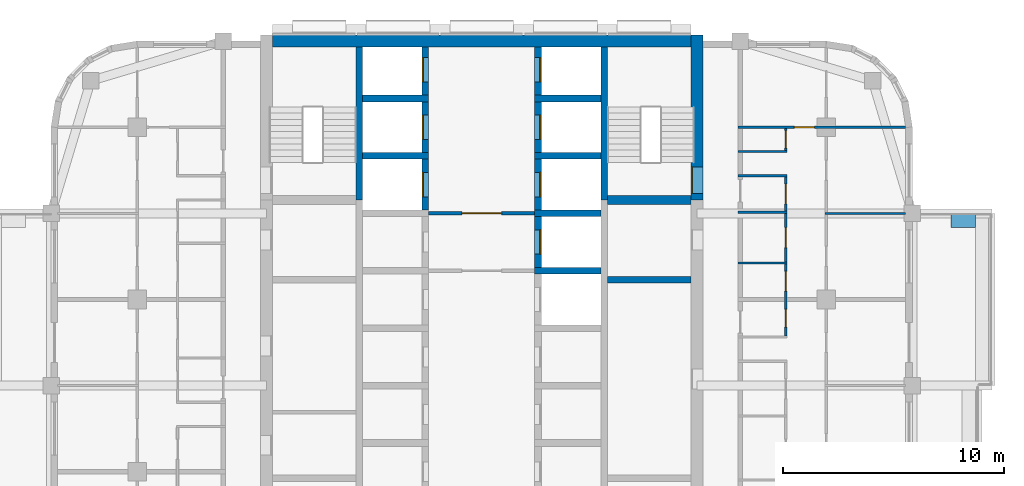
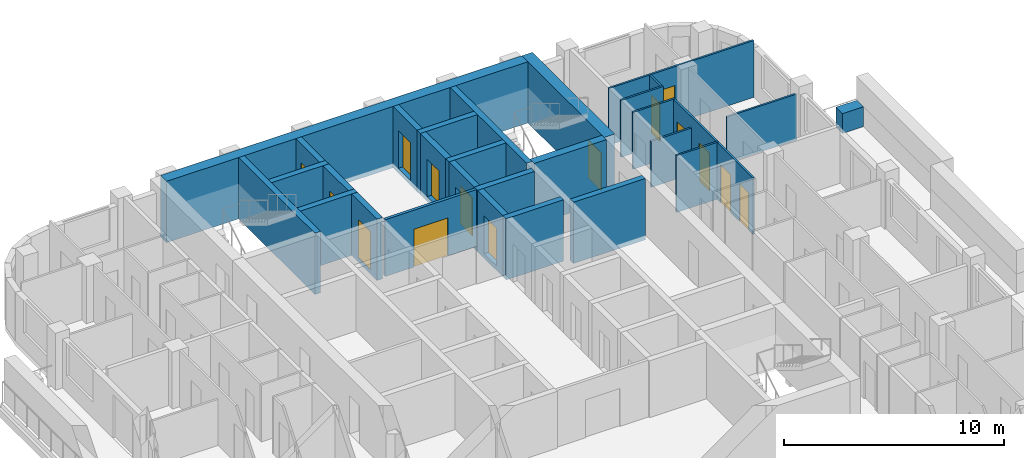
# One storey, part 8 of 14: 29 walls, 15 doors, 15 openings.
"""IFC4 building model written with IfcOpenShell, lengths in metres."""

from ifc_helpers import new_model, si_unit, direction, frame, frame_2d, origin, place, context, subcontext, project, spatial, rectangle, extrude, material, layer, layer_set, type_object, element, fill, save


model = new_model("IFC4")

# Units and contexts
model_context = context("Model", 3, precision=1e-05, world=origin(), true_north=direction((0.0, 1.0)))
body_context = subcontext(model_context, "Body", "Model", "MODEL_VIEW")
ifc_project = project(units=[si_unit("LENGTHUNIT", "METRE"), si_unit("AREAUNIT", "SQUARE_METRE"), si_unit("VOLUMEUNIT", "CUBIC_METRE"), si_unit("PLANEANGLEUNIT", "RADIAN"), si_unit("MASSUNIT", "GRAM", prefix="KILO")], contexts=[model_context])

# Site, building, storey
site_placement = place(None, origin())
site = spatial("IfcSite", under=ifc_project, at=site_placement, CompositionType="ELEMENT")
building_placement = place(site_placement, origin())
building = spatial("IfcBuilding", under=site, at=building_placement, Name="Ludao Terraces", CompositionType="ELEMENT")
storey_placement = place(building_placement, frame((0.0, 0.0, 182.60009765625)))
storey = spatial("IfcBuildingStorey", under=building, at=storey_placement, Name="L49", CompositionType="ELEMENT", Elevation=182.60009765625)

# Wall, opening, door
ifc_material_1 = material(Name="Concrete C60", Category="concrete")
ifc_layer_1 = layer(ifc_material_1, 0.550048828125)
ifc_layer_set_1 = layer_set([ifc_layer_1], Name="Core wall 550 C60")
wall_type_1 = type_object("IfcWallType", Name="Core wall 550 C60", PredefinedType="SOLIDWALL", material=ifc_layer_set_1)
wall_1_placement = place(storey_placement, frame((94.75, 77.300048828125, -0.25), z_axis=(0.0, 0.0, 1.0), x_axis=(0.0, 1.0, 0.0)))
wall_1 = element("IfcWall", 1, at=wall_1_placement, inside=storey, type_object=wall_type_1, Name="Core wall L49 outer-E-S2", PredefinedType="SOLIDWALL", context=body_context, shape_type="SweptSolid", body=[
    extrude(rectangle(XDim=7.474853515625, YDim=0.550048828125, at=frame_2d((3.7373046875, 0.0))), origin(), (0.0, 0.0, 1.0), 3.39990234375),
])
opening_1_placement = place(wall_1_placement, frame((0.300048828125, 0.0, 0.25)))
opening_1 = element("IfcOpeningElement", 2, at=opening_1_placement, cuts=wall_1, Name="Opening R17-076", PredefinedType="OPENING", context=body_context, shape_type="SweptSolid", body=[
    extrude(rectangle(XDim=1.199951171875, YDim=2.10009765625, at=frame_2d((0.60009765625, 1.050048828125))), frame((0.0, 0.28515625, 0.0), z_axis=(0.0, -1.0, 0.0), x_axis=(1.0, 0.0, 0.0)), (0.0, 0.0, 1.0), 0.570068359375),
])
ifc_material_2 = material(Name="Steel Q235", Category="steel")
door_type_1 = type_object("IfcDoorType", Name="INT Stair door 1200", OperationType="DOUBLE_DOOR_SINGLE_SWING", PredefinedType="DOOR", material=ifc_material_2)
door_1_placement = place(opening_1_placement, origin())
door_1 = element("IfcDoor", 3, at=door_1_placement, inside=storey, type_object=door_type_1, Name="DOOR 076", OperationType="DOUBLE_DOOR_SINGLE_SWING", OverallHeight=2.10009765625, OverallWidth=1.199951171875, PredefinedType="DOOR", context=body_context, shape_type="SweptSolid", body=[
    extrude(rectangle(XDim=1.199951171875, YDim=2.10009765625, at=frame_2d((0.60009765625, 1.050048828125))), frame((0.0, 0.26025390625, 0.0), z_axis=(0.0, -1.0, 0.0), x_axis=(1.0, 0.0, 0.0)), (0.0, 0.0, 1.0), 0.050048828125),
])
fill(opening_1, door_1)

# Walls
wall_2_placement = place(storey_placement, frame((75.52490234375, 84.5, -0.25), z_axis=(0.0, 0.0, 1.0), x_axis=(1.0, 0.0, 0.0)))
element("IfcWall", 4, at=wall_2_placement, inside=storey, type_object=wall_type_1, Name="Core wall L49 outer-N", PredefinedType="SOLIDWALL", context=body_context, shape_type="SweptSolid", body=[
    extrude(rectangle(XDim=18.9501953125, YDim=0.550048828125, at=frame_2d((9.47509765625, 0.0))), origin(), (0.0, 0.0, 1.0), 3.39990234375),
])
ifc_material_3 = material(Name="Concrete C40", Category="concrete")
ifc_layer_2 = layer(ifc_material_3, 0.60009765625)
ifc_layer_set_2 = layer_set([ifc_layer_2], Name="ENV Planter trough 600")
wall_type_2 = type_object("IfcWallType", Name="ENV Planter trough 600", PredefinedType="USERDEFINED", material=ifc_layer_set_2)
wall_3_placement = place(storey_placement, frame((107.35009765625, 76.35009765625, 0.0), z_axis=(0.0, 0.0, 1.0), x_axis=(-1.0, 0.0, 0.0)))
element("IfcWall", 5, at=wall_3_placement, inside=storey, type_object=wall_type_2, Name="PL-L49-E3-SB", ObjectType="PLANTER", PredefinedType="USERDEFINED", context=body_context, shape_type="SweptSolid", body=[
    extrude(rectangle(XDim=1.10009765625, YDim=0.60009765625, at=frame_2d((0.550048828125, 0.0))), origin(), (0.0, 0.0, 1.0), 1.099853515625),
])

# Wall, opening, door
ifc_material_4 = material(Name="Fire-rated gypsum plasterboard", Category="gypsum")
ifc_layer_3 = layer(ifc_material_4, 0.012451171875, Category="gypsum")
ifc_material_5 = material(Name="Mineral wool")
ifc_layer_4 = layer(ifc_material_5, 0.10009765625, Name="insulation")
ifc_layer_5 = layer(ifc_material_2, 0.02490234375, Name="stud")
ifc_layer_6 = layer(ifc_material_4, 0.012451171875, Category="gypsum")
ifc_layer_set_3 = layer_set([ifc_layer_3, ifc_layer_4, ifc_layer_5, ifc_layer_6], Name="INT Core partition 150")
wall_type_3 = type_object("IfcWallType", Name="INT Core partition 150", PredefinedType="PARTITIONING", material=ifc_layer_set_3)
wall_4_placement = place(storey_placement, frame((82.60009765625, 76.699951171875, 0.0), z_axis=(0.0, 0.0, 1.0), x_axis=(1.0, 0.0, 0.0)))
wall_4 = element("IfcWall", 6, at=wall_4_placement, inside=storey, type_object=wall_type_3, Name="PW-L49-PW037", PredefinedType="PARTITIONING", context=body_context, shape_type="SweptSolid", body=[
    extrude(rectangle(XDim=4.800048828125, YDim=0.14990234375, at=frame_2d((2.39990234375, 0.0))), origin(), (0.0, 0.0, 1.0), 3.14990234375),
])
opening_2_placement = place(wall_4_placement, frame((1.5, 0.0, 0.0)))
opening_2 = element("IfcOpeningElement", 7, at=opening_2_placement, cuts=wall_4, Name="Opening R17-070", PredefinedType="OPENING", context=body_context, shape_type="SweptSolid", body=[
    extrude(rectangle(XDim=1.800048828125, YDim=2.10009765625, at=frame_2d((0.89990234375, 1.050048828125))), frame((0.0, 0.0849609375, 0.0), z_axis=(0.0, -1.0, 0.0), x_axis=(1.0, 0.0, 0.0)), (0.0, 0.0, 1.0), 0.169921875),
])
door_type_2 = type_object("IfcDoorType", Name="INT Fire lobby door 1800", OperationType="DOUBLE_DOOR_SINGLE_SWING", PredefinedType="DOOR", material=ifc_material_2)
door_2_placement = place(opening_2_placement, origin())
door_2 = element("IfcDoor", 8, at=door_2_placement, inside=storey, type_object=door_type_2, Name="DOOR 070", OperationType="DOUBLE_DOOR_SINGLE_SWING", OverallHeight=2.10009765625, OverallWidth=1.800048828125, PredefinedType="DOOR", context=body_context, shape_type="SweptSolid", body=[
    extrude(rectangle(XDim=1.800048828125, YDim=2.10009765625, at=frame_2d((0.89990234375, 1.050048828125))), frame((0.0, 0.02490234375, 0.0), z_axis=(0.0, -1.0, 0.0), x_axis=(1.0, 0.0, 0.0)), (0.0, 0.0, 1.0), 0.050048828125),
])
fill(opening_2, door_2)

# Walls
ifc_material_6 = material(Name="Gypsum plasterboard", Category="gypsum")
ifc_layer_7 = layer(ifc_material_6, 0.012451171875, Category="gypsum")
ifc_layer_8 = layer(ifc_material_5, 0.06005859375, Name="insulation")
ifc_layer_9 = layer(ifc_material_2, 0.014892578125, Name="stud")
ifc_layer_10 = layer(ifc_material_6, 0.012451171875, Category="gypsum")
ifc_layer_set_4 = layer_set([ifc_layer_7, ifc_layer_8, ifc_layer_9, ifc_layer_10], Name="INT Partition 100")
wall_type_4 = type_object("IfcWallType", Name="INT Partition 100", PredefinedType="PARTITIONING", material=ifc_layer_set_4)
wall_5_placement = place(storey_placement, frame((96.60009765625, 74.449951171875, 0.0), z_axis=(0.0, 0.0, 1.0), x_axis=(1.0, 0.0, 0.0)))
element("IfcWall", 9, at=wall_5_placement, inside=storey, type_object=wall_type_4, Name="PW-L49-PW034", PredefinedType="PARTITIONING", context=body_context, shape_type="SweptSolid", body=[
    extrude(rectangle(XDim=2.219970703125, YDim=0.10009765625, at=frame_2d((1.10986328125, 0.0))), origin(), (0.0, 0.0, 1.0), 3.14990234375),
])
wall_6_placement = place(storey_placement, frame((100.550048828125, 76.699951171875, 0.0), z_axis=(0.0, 0.0, 1.0), x_axis=(1.0, 0.0, 0.0)))
element("IfcWall", 10, at=wall_6_placement, inside=storey, type_object=wall_type_4, Name="PW-L49-PW038", PredefinedType="PARTITIONING", context=body_context, shape_type="SweptSolid", body=[
    extrude(rectangle(XDim=3.650146484375, YDim=0.10009765625, at=frame_2d((1.8251953125, 0.0))), origin(), (0.0, 0.0, 1.0), 2.5498046875),
])
wall_7_placement = place(storey_placement, frame((96.60009765625, 76.75, 0.0), z_axis=(0.0, 0.0, 1.0), x_axis=(1.0, 0.0, 0.0)))
element("IfcWall", 11, at=wall_7_placement, inside=storey, type_object=wall_type_4, Name="PW-L49-PW039", PredefinedType="PARTITIONING", context=body_context, shape_type="SweptSolid", body=[
    extrude(rectangle(XDim=2.219970703125, YDim=0.10009765625, at=frame_2d((1.10986328125, 0.0))), origin(), (0.0, 0.0, 1.0), 2.5498046875),
])
for number, where, z_axis, x_axis, name in (
    (12, (96.60009765625, 78.39990234375, 0.0), (0.0, 0.0, 1.0), (1.0, 0.0, 0.0), "PW-L49-PW042"),
    (13, (96.60009765625, 79.5, 0.0), (0.0, 0.0, 1.0), (1.0, 0.0, 0.0), "PW-L49-PW043"),
):
    element("IfcWall", number, at=place(storey_placement, frame(where, z_axis=z_axis, x_axis=x_axis)), inside=storey, type_object=wall_type_4, Name=name, PredefinedType="PARTITIONING", context=body_context, shape_type="SweptSolid", body=[
        extrude(rectangle(XDim=2.219970703125, YDim=0.10009765625, at=frame_2d((1.10986328125, 0.0))), origin(), (0.0, 0.0, 1.0), 3.14990234375),
    ])

# Wall, opening, door
wall_8_placement = place(storey_placement, frame((96.60009765625, 80.60009765625, 0.0), z_axis=(0.0, 0.0, 1.0), x_axis=(1.0, 0.0, 0.0)))
wall_8 = element("IfcWall", 14, at=wall_8_placement, inside=storey, type_object=wall_type_4, Name="PW-L49-PW045", PredefinedType="PARTITIONING", context=body_context, shape_type="SweptSolid", body=[
    extrude(rectangle(XDim=7.60009765625, YDim=0.10009765625, at=frame_2d((3.800048828125, 0.0))), origin(), (0.0, 0.0, 1.0), 3.14990234375),
])
opening_3_placement = place(wall_8_placement, frame((2.56005859375, 0.0, 0.0)))
opening_3 = element("IfcOpeningElement", 15, at=opening_3_placement, cuts=wall_8, Name="Opening R17-085", PredefinedType="OPENING", context=body_context, shape_type="SweptSolid", body=[
    extrude(rectangle(XDim=0.89990234375, YDim=2.10009765625, at=frame_2d((0.449951171875, 1.050048828125))), frame((0.0, 0.06005859375, 0.0), z_axis=(0.0, -1.0, 0.0), x_axis=(1.0, 0.0, 0.0)), (0.0, 0.0, 1.0), 0.1201171875),
])
ifc_material_7 = material(Name="Timber door leaf", Category="wood")
door_type_3 = type_object("IfcDoorType", Name="INT Room door 900", OperationType="SINGLE_SWING_LEFT", PredefinedType="DOOR", material=ifc_material_7)
door_3_placement = place(opening_3_placement, origin())
door_3 = element("IfcDoor", 16, at=door_3_placement, inside=storey, type_object=door_type_3, Name="DOOR 085", OperationType="SINGLE_SWING_RIGHT", OverallHeight=2.10009765625, OverallWidth=0.89990234375, PredefinedType="DOOR", context=body_context, shape_type="SweptSolid", body=[
    extrude(rectangle(XDim=0.89990234375, YDim=2.10009765625, at=frame_2d((0.449951171875, 1.050048828125))), frame((0.0, 0.02490234375, 0.0), z_axis=(0.0, -1.0, 0.0), x_axis=(1.0, 0.0, 0.0)), (0.0, 0.0, 1.0), 0.050048828125),
])
fill(opening_3, door_3)

# Wall, openings, doors
wall_9_placement = place(storey_placement, frame((98.77001953125, 71.150146484375, 0.0), z_axis=(0.0, 0.0, 1.0), x_axis=(0.0, 1.0, 0.0)))
wall_9 = element("IfcWall", 17, at=wall_9_placement, inside=storey, type_object=wall_type_4, Name="PW-L49-PW059", PredefinedType="PARTITIONING", context=body_context, shape_type="SweptSolid", body=[
    extrude(rectangle(XDim=7.199951171875, YDim=0.10009765625, at=frame_2d((3.60009765625, 0.0))), origin(), (0.0, 0.0, 1.0), 3.14990234375),
])
opening_4_placement = place(wall_9_placement, frame((0.39990234375, 0.0, 0.0)))
opening_4 = element("IfcOpeningElement", 18, at=opening_4_placement, cuts=wall_9, Name="Opening R17-056", PredefinedType="OPENING", context=body_context, shape_type="SweptSolid", body=[
    extrude(rectangle(XDim=0.800048828125, YDim=2.10009765625, at=frame_2d((0.39990234375, 1.050048828125))), frame((0.0, 0.06005859375, 0.0), z_axis=(0.0, -1.0, 0.0), x_axis=(1.0, 0.0, 0.0)), (0.0, 0.0, 1.0), 0.1201171875),
])
opening_5_placement = place(wall_9_placement, frame((2.02490234375, 0.0, 0.0)))
opening_5 = element("IfcOpeningElement", 19, at=opening_5_placement, cuts=wall_9, Name="Opening R17-059", PredefinedType="OPENING", context=body_context, shape_type="SweptSolid", body=[
    extrude(rectangle(XDim=0.89990234375, YDim=2.10009765625, at=frame_2d((0.449951171875, 1.050048828125))), frame((0.0, 0.06005859375, 0.0), z_axis=(0.0, -1.0, 0.0), x_axis=(1.0, 0.0, 0.0)), (0.0, 0.0, 1.0), 0.1201171875),
])
opening_6_placement = place(wall_9_placement, frame((4.0, 0.0, 0.0)))
opening_6 = element("IfcOpeningElement", 20, at=opening_6_placement, cuts=wall_9, Name="Opening R17-068", PredefinedType="OPENING", context=body_context, shape_type="SweptSolid", body=[
    extrude(rectangle(XDim=0.89990234375, YDim=2.10009765625, at=frame_2d((0.449951171875, 1.050048828125))), frame((0.0, 0.06005859375, 0.0), z_axis=(0.0, -1.0, 0.0), x_axis=(1.0, 0.0, 0.0)), (0.0, 0.0, 1.0), 0.1201171875),
])
opening_7_placement = place(wall_9_placement, frame((5.97509765625, 0.0, 0.0)))
opening_7 = element("IfcOpeningElement", 21, at=opening_7_placement, cuts=wall_9, Name="Opening R17-071", PredefinedType="OPENING", context=body_context, shape_type="SweptSolid", body=[
    extrude(rectangle(XDim=0.89990234375, YDim=2.10009765625, at=frame_2d((0.449951171875, 1.050048828125))), frame((0.0, 0.06005859375, 0.0), z_axis=(0.0, -1.0, 0.0), x_axis=(1.0, 0.0, 0.0)), (0.0, 0.0, 1.0), 0.1201171875),
])
door_type_4 = type_object("IfcDoorType", Name="INT Bathroom door 900", OperationType="SINGLE_SWING_LEFT", PredefinedType="DOOR", material=ifc_material_7)
door_4_placement = place(opening_5_placement, origin())
door_4 = element("IfcDoor", 22, at=door_4_placement, inside=storey, type_object=door_type_4, Name="DOOR 059", OperationType="SINGLE_SWING_LEFT", OverallHeight=2.10009765625, OverallWidth=0.89990234375, PredefinedType="DOOR", context=body_context, shape_type="SweptSolid", body=[
    extrude(rectangle(XDim=0.89990234375, YDim=2.10009765625, at=frame_2d((0.449951171875, 1.050048828125))), frame((0.0, 0.02490234375, 0.0), z_axis=(0.0, -1.0, 0.0), x_axis=(1.0, 0.0, 0.0)), (0.0, 0.0, 1.0), 0.050048828125),
])
fill(opening_5, door_4)
door_5_placement = place(opening_7_placement, origin())
door_5 = element("IfcDoor", 23, at=door_5_placement, inside=storey, type_object=door_type_4, Name="DOOR 071", OperationType="SINGLE_SWING_RIGHT", OverallHeight=2.10009765625, OverallWidth=0.89990234375, PredefinedType="DOOR", context=body_context, shape_type="SweptSolid", body=[
    extrude(rectangle(XDim=0.89990234375, YDim=2.10009765625, at=frame_2d((0.449951171875, 1.050048828125))), frame((0.0, 0.02490234375, 0.0), z_axis=(0.0, -1.0, 0.0), x_axis=(1.0, 0.0, 0.0)), (0.0, 0.0, 1.0), 0.050048828125),
])
fill(opening_7, door_5)
door_6_placement = place(opening_6_placement, origin())
door_6 = element("IfcDoor", 24, at=door_6_placement, inside=storey, type_object=door_type_3, Name="DOOR 068", OperationType="SINGLE_SWING_RIGHT", OverallHeight=2.10009765625, OverallWidth=0.89990234375, PredefinedType="DOOR", context=body_context, shape_type="SweptSolid", body=[
    extrude(rectangle(XDim=0.89990234375, YDim=2.10009765625, at=frame_2d((0.449951171875, 1.050048828125))), frame((0.0, 0.02490234375, 0.0), z_axis=(0.0, -1.0, 0.0), x_axis=(1.0, 0.0, 0.0)), (0.0, 0.0, 1.0), 0.050048828125),
])
fill(opening_6, door_6)
door_type_5 = type_object("IfcDoorType", Name="INT Store door 800", OperationType="SINGLE_SWING_LEFT", PredefinedType="DOOR", material=ifc_material_7)
door_7_placement = place(opening_4_placement, origin())
door_7 = element("IfcDoor", 25, at=door_7_placement, inside=storey, type_object=door_type_5, Name="DOOR 056", OperationType="SINGLE_SWING_LEFT", OverallHeight=2.10009765625, OverallWidth=0.800048828125, PredefinedType="DOOR", context=body_context, shape_type="SweptSolid", body=[
    extrude(rectangle(XDim=0.800048828125, YDim=2.10009765625, at=frame_2d((0.39990234375, 1.050048828125))), frame((0.0, 0.02490234375, 0.0), z_axis=(0.0, -1.0, 0.0), x_axis=(1.0, 0.0, 0.0)), (0.0, 0.0, 1.0), 0.050048828125),
])
fill(opening_4, door_7)

# Wall, opening, door
wall_10_placement = place(storey_placement, frame((98.77001953125, 79.550048828125, 0.0), z_axis=(0.0, 0.0, 1.0), x_axis=(0.0, 1.0, 0.0)))
wall_10 = element("IfcWall", 26, at=wall_10_placement, inside=storey, type_object=wall_type_4, Name="PW-L49-PW060", PredefinedType="PARTITIONING", context=body_context, shape_type="SweptSolid", body=[
    extrude(rectangle(XDim=1.0, YDim=0.10009765625, at=frame_2d((0.5, 0.0))), origin(), (0.0, 0.0, 1.0), 3.14990234375),
])
opening_8_placement = place(wall_10_placement, frame((0.10009765625, 0.0, 0.0)))
opening_8 = element("IfcOpeningElement", 27, at=opening_8_placement, cuts=wall_10, Name="Opening R17-081", PredefinedType="OPENING", context=body_context, shape_type="SweptSolid", body=[
    extrude(rectangle(XDim=0.800048828125, YDim=2.10009765625, at=frame_2d((0.39990234375, 1.050048828125))), frame((0.0, 0.06005859375, 0.0), z_axis=(0.0, -1.0, 0.0), x_axis=(1.0, 0.0, 0.0)), (0.0, 0.0, 1.0), 0.1201171875),
])
door_8_placement = place(opening_8_placement, origin())
door_8 = element("IfcDoor", 28, at=door_8_placement, inside=storey, type_object=door_type_5, Name="DOOR 081", OperationType="SINGLE_SWING_RIGHT", OverallHeight=2.10009765625, OverallWidth=0.800048828125, PredefinedType="DOOR", context=body_context, shape_type="SweptSolid", body=[
    extrude(rectangle(XDim=0.800048828125, YDim=2.10009765625, at=frame_2d((0.39990234375, 1.050048828125))), frame((0.0, 0.02490234375, 0.0), z_axis=(0.0, -1.0, 0.0), x_axis=(1.0, 0.0, 0.0)), (0.0, 0.0, 1.0), 0.050048828125),
])
fill(opening_8, door_8)

# Walls
ifc_material_8 = material(Name="Concrete C55", Category="concrete")
ifc_layer_11 = layer(ifc_material_8, 0.300048828125)
ifc_layer_set_5 = layer_set([ifc_layer_11], Name="Shaft wall 300 C55")
wall_type_5 = type_object("IfcWallType", Name="Shaft wall 300 C55", PredefinedType="SOLIDWALL", material=ifc_layer_set_5)
for number, where, z_axis, x_axis, name in (
    (29, (79.449951171875, 77.300048828125, -0.25), (0.0, 0.0, 1.0), (0.0, 1.0, 0.0), "Core wall L49 back-W-S1"),
    (30, (90.550048828125, 77.300048828125, -0.25), (0.0, 0.0, 1.0), (0.0, 1.0, 0.0), "Core wall L49 back-E-S2"),
):
    element("IfcWall", number, at=place(storey_placement, frame(where, z_axis=z_axis, x_axis=x_axis)), inside=storey, type_object=wall_type_5, Name=name, PredefinedType="SOLIDWALL", context=body_context, shape_type="SweptSolid", body=[
        extrude(rectangle(XDim=6.925048828125, YDim=0.300048828125, at=frame_2d((3.46240234375, 0.0))), origin(), (0.0, 0.0, 1.0), 3.39990234375),
    ])

# Wall, opening, door
wall_11_placement = place(storey_placement, frame((82.449951171875, 76.85009765625, -0.25), z_axis=(0.0, 0.0, 1.0), x_axis=(0.0, 1.0, 0.0)))
wall_11 = element("IfcWall", 31, at=wall_11_placement, inside=storey, type_object=wall_type_5, Name="Core wall L49 front-W7", PredefinedType="SOLIDWALL", context=body_context, shape_type="SweptSolid", body=[
    extrude(rectangle(XDim=2.2998046875, YDim=0.300048828125, at=frame_2d((1.14990234375, 0.0))), origin(), (0.0, 0.0, 1.0), 3.39990234375),
])
opening_9_placement = place(wall_11_placement, frame((0.60009765625, 0.0, 0.25)))
opening_9 = element("IfcOpeningElement", 32, at=opening_9_placement, cuts=wall_11, Name="Opening LD-FF1", PredefinedType="OPENING", context=body_context, shape_type="SweptSolid", body=[
    extrude(rectangle(XDim=1.10009765625, YDim=2.10009765625, at=frame_2d((0.550048828125, 1.050048828125))), frame((0.0, 0.16015625, 0.0), z_axis=(0.0, -1.0, 0.0), x_axis=(1.0, 0.0, 0.0)), (0.0, 0.0, 1.0), 0.320068359375),
])
ifc_material_9 = material(Name="Stainless steel 304", Category="steel")
door_type_6 = type_object("IfcDoorType", Name="INT Lift landing door 1100", OperationType="SLIDING_TO_LEFT", PredefinedType="DOOR", material=ifc_material_9)
door_9_placement = place(opening_9_placement, origin())
door_9 = element("IfcDoor", 33, at=door_9_placement, inside=storey, type_object=door_type_6, Name="LANDING DOOR FF1 L49", OperationType="SLIDING_TO_LEFT", OverallHeight=2.10009765625, OverallWidth=1.10009765625, PredefinedType="DOOR", context=body_context, shape_type="SweptSolid", body=[
    extrude(rectangle(XDim=1.10009765625, YDim=2.10009765625, at=frame_2d((0.550048828125, 1.050048828125))), frame((0.0, 0.13525390625, 0.0), z_axis=(0.0, -1.0, 0.0), x_axis=(1.0, 0.0, 0.0)), (0.0, 0.0, 1.0), 0.050048828125),
])
fill(opening_9, door_9)

# Wall
wall_12_placement = place(storey_placement, frame((79.60009765625, 79.300048828125, -0.25), z_axis=(0.0, 0.0, 1.0), x_axis=(1.0, 0.0, 0.0)))
element("IfcWall", 34, at=wall_12_placement, inside=storey, type_object=wall_type_5, Name="Core wall L49 div-W8", PredefinedType="SOLIDWALL", context=body_context, shape_type="SweptSolid", body=[
    extrude(rectangle(XDim=3.0, YDim=0.300048828125, at=frame_2d((1.5, 0.0))), origin(), (0.0, 0.0, 1.0), 3.39990234375),
])

# Wall, opening, door
wall_13_placement = place(storey_placement, frame((82.449951171875, 79.449951171875, -0.25), z_axis=(0.0, 0.0, 1.0), x_axis=(0.0, 1.0, 0.0)))
wall_13 = element("IfcWall", 35, at=wall_13_placement, inside=storey, type_object=wall_type_5, Name="Core wall L49 front-W8", PredefinedType="SOLIDWALL", context=body_context, shape_type="SweptSolid", body=[
    extrude(rectangle(XDim=2.300048828125, YDim=0.300048828125, at=frame_2d((1.14990234375, 0.0))), origin(), (0.0, 0.0, 1.0), 3.39990234375),
])
opening_10_placement = place(wall_13_placement, frame((0.60009765625, 0.0, 0.25)))
opening_10 = element("IfcOpeningElement", 36, at=opening_10_placement, cuts=wall_13, Name="Opening LD-FF2", PredefinedType="OPENING", context=body_context, shape_type="SweptSolid", body=[
    extrude(rectangle(XDim=1.10009765625, YDim=2.10009765625, at=frame_2d((0.550048828125, 1.050048828125))), frame((0.0, 0.16015625, 0.0), z_axis=(0.0, -1.0, 0.0), x_axis=(1.0, 0.0, 0.0)), (0.0, 0.0, 1.0), 0.320068359375),
])
door_10_placement = place(opening_10_placement, origin())
door_10 = element("IfcDoor", 37, at=door_10_placement, inside=storey, type_object=door_type_6, Name="LANDING DOOR FF2 L49", OperationType="SLIDING_TO_LEFT", OverallHeight=2.10009765625, OverallWidth=1.10009765625, PredefinedType="DOOR", context=body_context, shape_type="SweptSolid", body=[
    extrude(rectangle(XDim=1.10009765625, YDim=2.10009765625, at=frame_2d((0.550048828125, 1.050048828125))), frame((0.0, 0.13525390625, 0.0), z_axis=(0.0, -1.0, 0.0), x_axis=(1.0, 0.0, 0.0)), (0.0, 0.0, 1.0), 0.050048828125),
])
fill(opening_10, door_10)

# Wall
wall_14_placement = place(storey_placement, frame((79.60009765625, 81.89990234375, -0.25), z_axis=(0.0, 0.0, 1.0), x_axis=(1.0, 0.0, 0.0)))
element("IfcWall", 38, at=wall_14_placement, inside=storey, type_object=wall_type_5, Name="Core wall L49 div-W9", PredefinedType="SOLIDWALL", context=body_context, shape_type="SweptSolid", body=[
    extrude(rectangle(XDim=3.0, YDim=0.300048828125, at=frame_2d((1.5, 0.0))), origin(), (0.0, 0.0, 1.0), 3.39990234375),
])

# Wall, opening, door
wall_15_placement = place(storey_placement, frame((82.449951171875, 82.050048828125, -0.25), z_axis=(0.0, 0.0, 1.0), x_axis=(0.0, 1.0, 0.0)))
wall_15 = element("IfcWall", 39, at=wall_15_placement, inside=storey, type_object=wall_type_5, Name="Core wall L49 front-W9", PredefinedType="SOLIDWALL", context=body_context, shape_type="SweptSolid", body=[
    extrude(rectangle(XDim=2.175048828125, YDim=0.300048828125, at=frame_2d((1.08740234375, 0.0))), origin(), (0.0, 0.0, 1.0), 3.39990234375),
])
opening_11_placement = place(wall_15_placement, frame((0.60009765625, 0.0, 0.25)))
opening_11 = element("IfcOpeningElement", 40, at=opening_11_placement, cuts=wall_15, Name="Opening LD-LB6", PredefinedType="OPENING", context=body_context, shape_type="SweptSolid", body=[
    extrude(rectangle(XDim=1.10009765625, YDim=2.10009765625, at=frame_2d((0.550048828125, 1.050048828125))), frame((0.0, 0.16015625, 0.0), z_axis=(0.0, -1.0, 0.0), x_axis=(1.0, 0.0, 0.0)), (0.0, 0.0, 1.0), 0.320068359375),
])
door_11_placement = place(opening_11_placement, origin())
door_11 = element("IfcDoor", 41, at=door_11_placement, inside=storey, type_object=door_type_6, Name="LANDING DOOR LB6 L49", OperationType="SLIDING_TO_RIGHT", OverallHeight=2.10009765625, OverallWidth=1.10009765625, PredefinedType="DOOR", context=body_context, shape_type="SweptSolid", body=[
    extrude(rectangle(XDim=1.10009765625, YDim=2.10009765625, at=frame_2d((0.550048828125, 1.050048828125))), frame((0.0, 0.13525390625, 0.0), z_axis=(0.0, -1.0, 0.0), x_axis=(1.0, 0.0, 0.0)), (0.0, 0.0, 1.0), 0.050048828125),
])
fill(opening_11, door_11)

# Wall
wall_16_placement = place(storey_placement, frame((87.39990234375, 74.10009765625, -0.25), z_axis=(0.0, 0.0, 1.0), x_axis=(1.0, 0.0, 0.0)))
element("IfcWall", 42, at=wall_16_placement, inside=storey, type_object=wall_type_5, Name="Core wall L49 div-E6", PredefinedType="SOLIDWALL", context=body_context, shape_type="SweptSolid", body=[
    extrude(rectangle(XDim=3.0, YDim=0.300048828125, at=frame_2d((1.5, 0.0))), origin(), (0.0, 0.0, 1.0), 3.39990234375),
])

# Wall, opening, door
wall_17_placement = place(storey_placement, frame((87.550048828125, 74.25, -0.25), z_axis=(0.0, 0.0, 1.0), x_axis=(0.0, 1.0, 0.0)))
wall_17 = element("IfcWall", 43, at=wall_17_placement, inside=storey, type_object=wall_type_5, Name="Core wall L49 front-E6", PredefinedType="SOLIDWALL", context=body_context, shape_type="SweptSolid", body=[
    extrude(rectangle(XDim=2.300048828125, YDim=0.300048828125, at=frame_2d((1.14990234375, 0.0))), origin(), (0.0, 0.0, 1.0), 3.39990234375),
])
opening_12_placement = place(wall_17_placement, frame((0.60009765625, 0.0, 0.25)))
opening_12 = element("IfcOpeningElement", 44, at=opening_12_placement, cuts=wall_17, Name="Opening LD-LB2", PredefinedType="OPENING", context=body_context, shape_type="SweptSolid", body=[
    extrude(rectangle(XDim=1.10009765625, YDim=2.10009765625, at=frame_2d((0.550048828125, 1.050048828125))), frame((0.0, 0.16015625, 0.0), z_axis=(0.0, -1.0, 0.0), x_axis=(1.0, 0.0, 0.0)), (0.0, 0.0, 1.0), 0.320068359375),
])
door_12_placement = place(opening_12_placement, origin())
door_12 = element("IfcDoor", 45, at=door_12_placement, inside=storey, type_object=door_type_6, Name="LANDING DOOR LB2 L49", OperationType="SLIDING_TO_LEFT", OverallHeight=2.10009765625, OverallWidth=1.10009765625, PredefinedType="DOOR", context=body_context, shape_type="SweptSolid", body=[
    extrude(rectangle(XDim=1.10009765625, YDim=2.10009765625, at=frame_2d((0.550048828125, 1.050048828125))), frame((0.0, -0.0849609375, 0.0), z_axis=(0.0, -1.0, 0.0), x_axis=(1.0, 0.0, 0.0)), (0.0, 0.0, 1.0), 0.050048828125),
])
fill(opening_12, door_12)

# Wall
wall_18_placement = place(storey_placement, frame((87.39990234375, 76.699951171875, -0.25), z_axis=(0.0, 0.0, 1.0), x_axis=(1.0, 0.0, 0.0)))
element("IfcWall", 46, at=wall_18_placement, inside=storey, type_object=wall_type_5, Name="Core wall L49 div-E7", PredefinedType="SOLIDWALL", context=body_context, shape_type="SweptSolid", body=[
    extrude(rectangle(XDim=3.0, YDim=0.300048828125, at=frame_2d((1.5, 0.0))), origin(), (0.0, 0.0, 1.0), 3.39990234375),
])

# Wall, opening, door
wall_19_placement = place(storey_placement, frame((87.550048828125, 76.85009765625, -0.25), z_axis=(0.0, 0.0, 1.0), x_axis=(0.0, 1.0, 0.0)))
wall_19 = element("IfcWall", 47, at=wall_19_placement, inside=storey, type_object=wall_type_5, Name="Core wall L49 front-E7", PredefinedType="SOLIDWALL", context=body_context, shape_type="SweptSolid", body=[
    extrude(rectangle(XDim=2.2998046875, YDim=0.300048828125, at=frame_2d((1.14990234375, 0.0))), origin(), (0.0, 0.0, 1.0), 3.39990234375),
])
opening_13_placement = place(wall_19_placement, frame((0.60009765625, 0.0, 0.25)))
opening_13 = element("IfcOpeningElement", 48, at=opening_13_placement, cuts=wall_19, Name="Opening LD-LB3", PredefinedType="OPENING", context=body_context, shape_type="SweptSolid", body=[
    extrude(rectangle(XDim=1.10009765625, YDim=2.10009765625, at=frame_2d((0.550048828125, 1.050048828125))), frame((0.0, 0.16015625, 0.0), z_axis=(0.0, -1.0, 0.0), x_axis=(1.0, 0.0, 0.0)), (0.0, 0.0, 1.0), 0.320068359375),
])
door_13_placement = place(opening_13_placement, origin())
door_13 = element("IfcDoor", 49, at=door_13_placement, inside=storey, type_object=door_type_6, Name="LANDING DOOR LB3 L49", OperationType="SLIDING_TO_LEFT", OverallHeight=2.10009765625, OverallWidth=1.10009765625, PredefinedType="DOOR", context=body_context, shape_type="SweptSolid", body=[
    extrude(rectangle(XDim=1.10009765625, YDim=2.10009765625, at=frame_2d((0.550048828125, 1.050048828125))), frame((0.0, -0.0849609375, 0.0), z_axis=(0.0, -1.0, 0.0), x_axis=(1.0, 0.0, 0.0)), (0.0, 0.0, 1.0), 0.050048828125),
])
fill(opening_13, door_13)

# Wall
wall_20_placement = place(storey_placement, frame((87.39990234375, 79.300048828125, -0.25), z_axis=(0.0, 0.0, 1.0), x_axis=(1.0, 0.0, 0.0)))
element("IfcWall", 50, at=wall_20_placement, inside=storey, type_object=wall_type_5, Name="Core wall L49 div-E8", PredefinedType="SOLIDWALL", context=body_context, shape_type="SweptSolid", body=[
    extrude(rectangle(XDim=3.0, YDim=0.300048828125, at=frame_2d((1.5, 0.0))), origin(), (0.0, 0.0, 1.0), 3.39990234375),
])

# Wall, opening, door
wall_21_placement = place(storey_placement, frame((87.550048828125, 79.449951171875, -0.25), z_axis=(0.0, 0.0, 1.0), x_axis=(0.0, 1.0, 0.0)))
wall_21 = element("IfcWall", 51, at=wall_21_placement, inside=storey, type_object=wall_type_5, Name="Core wall L49 front-E8", PredefinedType="SOLIDWALL", context=body_context, shape_type="SweptSolid", body=[
    extrude(rectangle(XDim=2.300048828125, YDim=0.300048828125, at=frame_2d((1.14990234375, 0.0))), origin(), (0.0, 0.0, 1.0), 3.39990234375),
])
opening_14_placement = place(wall_21_placement, frame((0.60009765625, 0.0, 0.25)))
opening_14 = element("IfcOpeningElement", 52, at=opening_14_placement, cuts=wall_21, Name="Opening LD-LB4", PredefinedType="OPENING", context=body_context, shape_type="SweptSolid", body=[
    extrude(rectangle(XDim=1.10009765625, YDim=2.10009765625, at=frame_2d((0.550048828125, 1.050048828125))), frame((0.0, 0.16015625, 0.0), z_axis=(0.0, -1.0, 0.0), x_axis=(1.0, 0.0, 0.0)), (0.0, 0.0, 1.0), 0.320068359375),
])
door_14_placement = place(opening_14_placement, origin())
door_14 = element("IfcDoor", 53, at=door_14_placement, inside=storey, type_object=door_type_6, Name="LANDING DOOR LB4 L49", OperationType="SLIDING_TO_RIGHT", OverallHeight=2.10009765625, OverallWidth=1.10009765625, PredefinedType="DOOR", context=body_context, shape_type="SweptSolid", body=[
    extrude(rectangle(XDim=1.10009765625, YDim=2.10009765625, at=frame_2d((0.550048828125, 1.050048828125))), frame((0.0, -0.0849609375, 0.0), z_axis=(0.0, -1.0, 0.0), x_axis=(1.0, 0.0, 0.0)), (0.0, 0.0, 1.0), 0.050048828125),
])
fill(opening_14, door_14)

# Wall
wall_22_placement = place(storey_placement, frame((87.39990234375, 81.89990234375, -0.25), z_axis=(0.0, 0.0, 1.0), x_axis=(1.0, 0.0, 0.0)))
element("IfcWall", 54, at=wall_22_placement, inside=storey, type_object=wall_type_5, Name="Core wall L49 div-E9", PredefinedType="SOLIDWALL", context=body_context, shape_type="SweptSolid", body=[
    extrude(rectangle(XDim=3.0, YDim=0.300048828125, at=frame_2d((1.5, 0.0))), origin(), (0.0, 0.0, 1.0), 3.39990234375),
])

# Wall, opening, door
wall_23_placement = place(storey_placement, frame((87.550048828125, 82.050048828125, -0.25), z_axis=(0.0, 0.0, 1.0), x_axis=(0.0, 1.0, 0.0)))
wall_23 = element("IfcWall", 55, at=wall_23_placement, inside=storey, type_object=wall_type_5, Name="Core wall L49 front-E9", PredefinedType="SOLIDWALL", context=body_context, shape_type="SweptSolid", body=[
    extrude(rectangle(XDim=2.175048828125, YDim=0.300048828125, at=frame_2d((1.08740234375, 0.0))), origin(), (0.0, 0.0, 1.0), 3.39990234375),
])
opening_15_placement = place(wall_23_placement, frame((0.60009765625, 0.0, 0.25)))
opening_15 = element("IfcOpeningElement", 56, at=opening_15_placement, cuts=wall_23, Name="Opening LD-LB5", PredefinedType="OPENING", context=body_context, shape_type="SweptSolid", body=[
    extrude(rectangle(XDim=1.10009765625, YDim=2.10009765625, at=frame_2d((0.550048828125, 1.050048828125))), frame((0.0, 0.16015625, 0.0), z_axis=(0.0, -1.0, 0.0), x_axis=(1.0, 0.0, 0.0)), (0.0, 0.0, 1.0), 0.320068359375),
])
door_15_placement = place(opening_15_placement, origin())
door_15 = element("IfcDoor", 57, at=door_15_placement, inside=storey, type_object=door_type_6, Name="LANDING DOOR LB5 L49", OperationType="SLIDING_TO_RIGHT", OverallHeight=2.10009765625, OverallWidth=1.10009765625, PredefinedType="DOOR", context=body_context, shape_type="SweptSolid", body=[
    extrude(rectangle(XDim=1.10009765625, YDim=2.10009765625, at=frame_2d((0.550048828125, 1.050048828125))), frame((0.0, -0.0849609375, 0.0), z_axis=(0.0, -1.0, 0.0), x_axis=(1.0, 0.0, 0.0)), (0.0, 0.0, 1.0), 0.050048828125),
])
fill(opening_15, door_15)

# Walls
wall_24_placement = place(storey_placement, frame((90.699951171875, 73.699951171875, -0.25), z_axis=(0.0, 0.0, 1.0), x_axis=(1.0, 0.0, 0.0)))
element("IfcWall", 58, at=wall_24_placement, inside=storey, type_object=wall_type_5, Name="Core wall L49 riser-b-E", PredefinedType="SOLIDWALL", context=body_context, shape_type="SweptSolid", body=[
    extrude(rectangle(XDim=3.775146484375, YDim=0.300048828125, at=frame_2d((1.8876953125, 0.0))), origin(), (0.0, 0.0, 1.0), 3.39990234375),
])
ifc_layer_12 = layer(ifc_material_8, 0.39990234375)
ifc_layer_set_6 = layer_set([ifc_layer_12], Name="Shaft wall 400 C55")
wall_type_6 = type_object("IfcWallType", Name="Shaft wall 400 C55", PredefinedType="SOLIDWALL", material=ifc_layer_set_6)
wall_25_placement = place(storey_placement, frame((90.699951171875, 77.300048828125, -0.25), z_axis=(0.0, 0.0, 1.0), x_axis=(1.0, 0.0, 0.0)))
element("IfcWall", 59, at=wall_25_placement, inside=storey, type_object=wall_type_6, Name="Core wall L49 stair-E", PredefinedType="SOLIDWALL", context=body_context, shape_type="SweptSolid", body=[
    extrude(rectangle(XDim=3.775146484375, YDim=0.39990234375, at=frame_2d((1.8876953125, 0.0))), origin(), (0.0, 0.0, 1.0), 3.39990234375),
])

save(model, "model.ifc")
